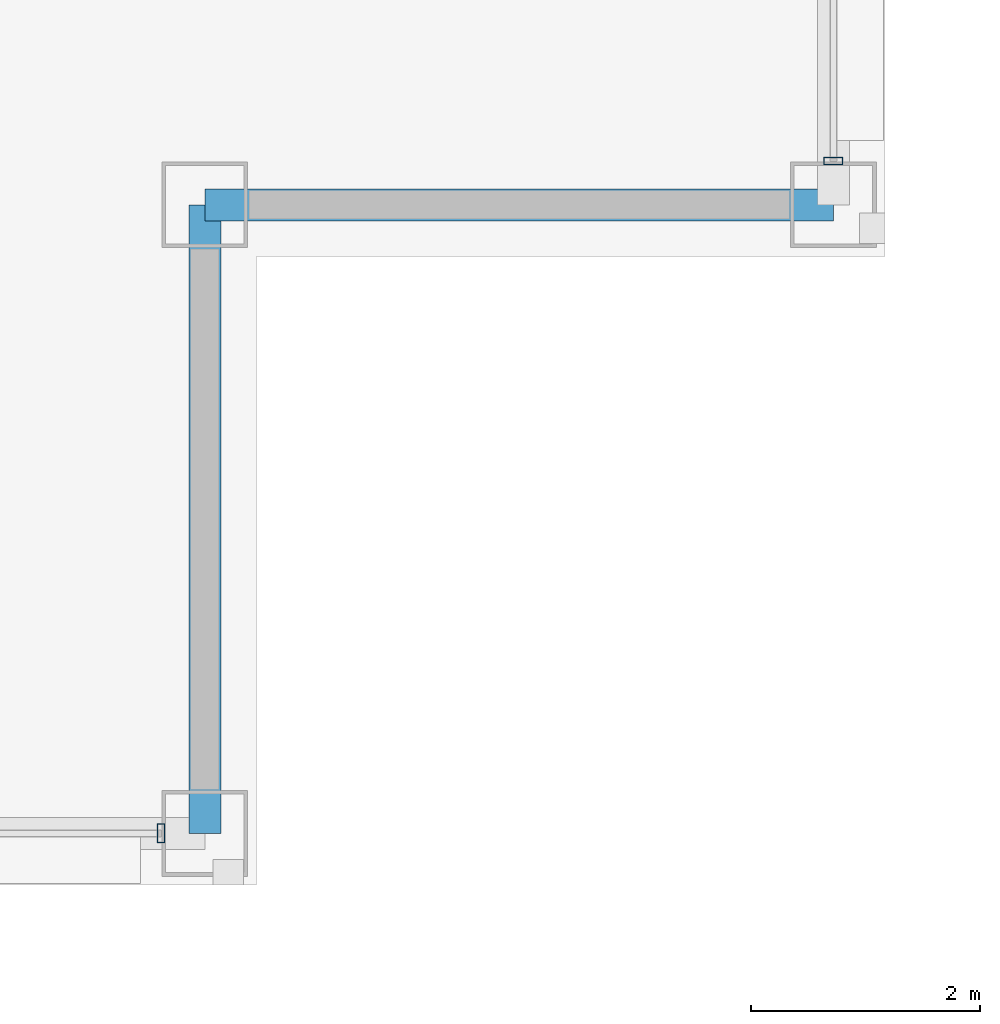
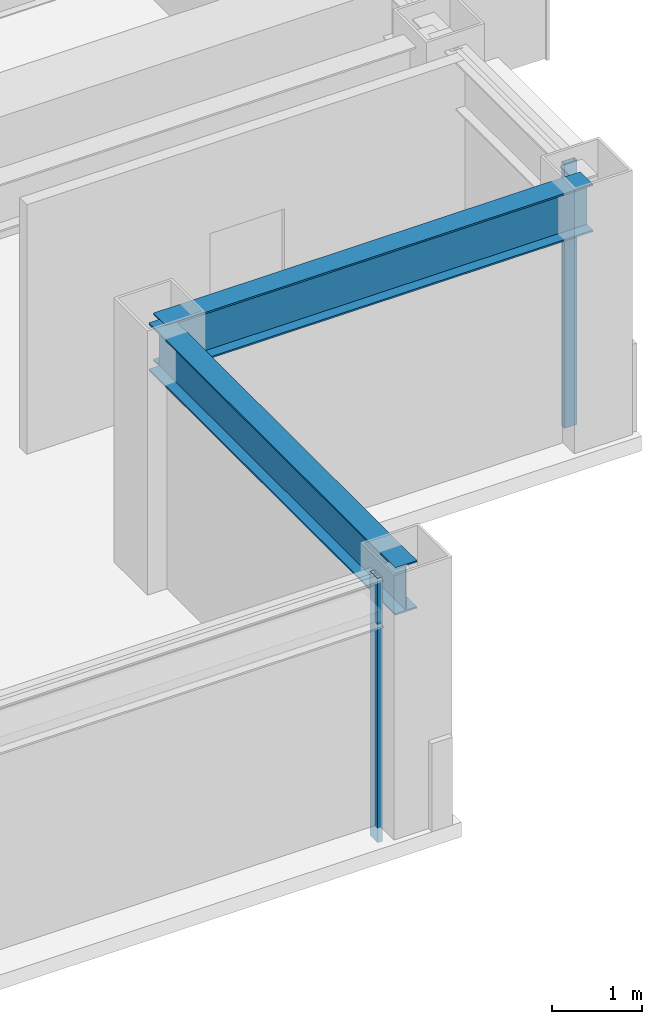
# One storey, part 11 of 26: 2 beams, 2 members, 2 elements without a shape of their own.
"""IFC4 building model written with IfcOpenShell, lengths in metres."""

import ifcopenshell
import ifcopenshell.guid

model = None  # the IFC model being written
_history = None  # IfcOwnerHistory: only IFC2X3 demands one
_inside = {}  # id of a spatial element -> (the spatial element, [elements in it])
_under = {}  # id of a project, library or spatial element -> (it, [spatial elements below it])
_declared = {}  # id of a project -> (the project, [libraries it declares])
_typed = {}  # id of a type object -> (the type object, [elements of that type])
_made_of = {}  # id of a material, layer set ... -> (it, [elements and type objects made of it])


def new_model(schema):
    """Start an empty IFC model of exactly this schema.

    Asked for "IFC4X3", IfcOpenShell would pick the latest addendum, in which some entities
    have other attributes; the version numbers below select the first issue.
    IFC2X3 requires an IfcOwnerHistory on every rooted entity: one is made here for all.
    """
    global model, _history
    if schema == "IFC4X3":
        model = ifcopenshell.file(schema_version=(4, 3, 0, 0))
    else:
        model = ifcopenshell.file(schema=schema)
    _inside.clear()
    _under.clear()
    _declared.clear()
    _typed.clear()
    _made_of.clear()
    _history = None
    if model.schema == "IFC2X3":
        org = make("IfcOrganization", Name="unknown")
        user = make(
            "IfcPersonAndOrganization",
            ThePerson=make("IfcPerson", FamilyName="unknown"),
            TheOrganization=org,
        )
        app = make(
            "IfcApplication",
            ApplicationDeveloper=org,
            Version="unknown",
            ApplicationFullName="unknown",
            ApplicationIdentifier="unknown",
        )
        _history = make(
            "IfcOwnerHistory",
            OwningUser=user,
            OwningApplication=app,
            ChangeAction="ADDED",
            CreationDate=0,
        )
    return model


def make(cls, **values):
    """One entity of the class cls with the attributes given. An attribute that is None is left unset."""
    return model.create_entity(
        cls, **{name: value for name, value in values.items() if value is not None}
    )


def rooted(cls, **values):
    """An entity with a GlobalId (a new one), such as an element, a storey or a relation."""
    return make(cls, GlobalId=ifcopenshell.guid.new(), OwnerHistory=_history, **values)


def si_unit(unit_type, name, prefix=None):
    """IfcSIUnit, for example si_unit("LENGTHUNIT", "METRE", prefix="MILLI")."""
    return make("IfcSIUnit", UnitType=unit_type, Prefix=prefix, Name=name)


def assignment(units):
    """IfcUnitAssignment: the units of a project."""
    return None if units is None else make("IfcUnitAssignment", Units=units)


def point(xyz):
    """IfcCartesianPoint."""
    return None if xyz is None else make("IfcCartesianPoint", Coordinates=xyz)


def direction(xyz):
    """IfcDirection."""
    return None if xyz is None else make("IfcDirection", DirectionRatios=xyz)


def frame(location, z_axis=None, x_axis=None):
    """IfcAxis2Placement3D, a coordinate frame: its origin and axes. An axis left out is left unset."""
    return make(
        "IfcAxis2Placement3D",
        Location=point(location),
        Axis=direction(z_axis),
        RefDirection=direction(x_axis),
    )


def frame_2d(location, x_axis=None):
    """IfcAxis2Placement2D, a coordinate frame in the plane: its origin and x axis."""
    return make(
        "IfcAxis2Placement2D", Location=point(location), RefDirection=direction(x_axis)
    )


def origin():
    """The frame at (0, 0, 0) with its axes left unset."""
    return frame((0.0, 0.0, 0.0))


def origin_2d():
    """The frame at (0, 0) in the plane with its x axis left unset."""
    return frame_2d((0.0, 0.0))


def place(relative_to, where):
    """IfcLocalPlacement: puts the frame where relative to a parent placement (None: the world)."""
    return make(
        "IfcLocalPlacement", PlacementRelTo=relative_to, RelativePlacement=where
    )


def context(
    kind, dimensions, precision=None, world=None, true_north=None, identifier=None
):
    """IfcGeometricRepresentationContext, for example the 3D "Model" context."""
    return make(
        "IfcGeometricRepresentationContext",
        ContextIdentifier=identifier,
        ContextType=kind,
        CoordinateSpaceDimension=dimensions,
        Precision=precision,
        WorldCoordinateSystem=world,
        TrueNorth=true_north,
    )


def subcontext(parent, identifier, kind, view, scale=None):
    """IfcGeometricRepresentationSubContext, for example "Body" below "Model"."""
    return make(
        "IfcGeometricRepresentationSubContext",
        ContextIdentifier=identifier,
        ContextType=kind,
        ParentContext=parent,
        TargetScale=scale,
        TargetView=view,
    )


def project(units=None, contexts=None):
    """IfcProject with its units and contexts."""
    return rooted(
        "IfcProject",
        Name="project",
        RepresentationContexts=contexts,
        UnitsInContext=assignment(units),
    )


def spatial(cls, under=None, at=None, **own):
    """A site, building, storey or space (cls), placed at a placement, below another one or the project."""
    s = rooted(cls, ObjectPlacement=at, **own)
    if under is not None:
        _under.setdefault(under.id(), (under, []))[1].append(s)
    return s


def profile(cls, at=None, kind="AREA", **sizes):
    """A parametric profile (cls). Its sizes go by their IFC names, for example OverallWidth=200.0."""
    return make(cls, ProfileType=kind, Position=at, **sizes)


def hollow_rectangle(**sizes):
    """IfcRectangleHollowProfileDef."""
    return profile("IfcRectangleHollowProfileDef", **sizes)


def i_section(**sizes):
    """IfcIShapeProfileDef."""
    return profile("IfcIShapeProfileDef", **sizes)


def extrude(swept, where, along, depth):
    """IfcExtrudedAreaSolid: the profile swept, set in the frame where, extruded along a direction by depth."""
    return make(
        "IfcExtrudedAreaSolid",
        SweptArea=swept,
        Position=where,
        ExtrudedDirection=direction(along),
        Depth=depth,
    )


def shape(context_of_items, identifier, shape_type, items):
    """IfcShapeRepresentation: the items that make up one representation, for example the "Body"."""
    return make(
        "IfcShapeRepresentation",
        ContextOfItems=context_of_items,
        RepresentationIdentifier=identifier,
        RepresentationType=shape_type,
        Items=items,
    )


def material(Name=None, Category=None):
    """IfcMaterial."""
    return make("IfcMaterial", Name=Name, Category=Category)


def layer(
    of_material, thickness, ventilated=None, Name=None, Category=None, Priority=None
):
    """IfcMaterialLayer: one layer of a wall or slab, of a material (None: an air gap)."""
    return make(
        "IfcMaterialLayer",
        Material=of_material,
        LayerThickness=thickness,
        IsVentilated=ventilated,
        Name=Name,
        Category=Category,
        Priority=Priority,
    )


def layer_set(layers, Name=None):
    """IfcMaterialLayerSet."""
    return make("IfcMaterialLayerSet", MaterialLayers=layers, LayerSetName=Name)


def material_profile(
    of_material, cross_section, Name=None, Category=None, Priority=None
):
    """IfcMaterialProfile: a cross section and its material."""
    return make(
        "IfcMaterialProfile",
        Name=Name,
        Material=of_material,
        Profile=cross_section,
        Priority=Priority,
        Category=Category,
    )


def profile_set(profiles, Name=None, composite=None):
    """IfcMaterialProfileSet."""
    return make(
        "IfcMaterialProfileSet",
        Name=Name,
        MaterialProfiles=profiles,
        CompositeProfile=composite,
    )


def made_of(thing, what):
    """Note that an element or type object is made of a material, layer set ...; save() writes the relation."""
    if what is not None:
        _made_of.setdefault(what.id(), (what, []))[1].append(thing)
    return thing


def type_object(cls, material=None, **own):
    """A type object (cls), such as IfcWallType, which elements share."""
    return made_of(rooted(cls, **own), material)


def element(
    cls,
    number,
    at=None,
    inside=None,
    cuts=None,
    type_object=None,
    material=None,
    context=None,
    identifier="Body",
    shape_type=None,
    held_by="IfcProductDefinitionShape",
    body=None,
    shapes=None,
    **own,
):
    """One element of the class cls, such as IfcWall. Its Tag is "e" and its number.

    at: its placement. inside: the storey or other place that contains it. cuts: it is an
    opening in that element (IfcRelVoidsElement). A single representation is given by context,
    identifier, shape_type and body (its items); several are given by shapes. held_by: the class
    of the entity that holds the representations. save() writes the other relations.
    """
    e = rooted(cls, Tag="e%d" % number, ObjectPlacement=at, **own)
    if body is not None:
        shapes = [shape(context, identifier, shape_type, body)]
    if shapes is not None:
        e.Representation = make(held_by, Representations=shapes)
    if inside is not None:
        _inside.setdefault(inside.id(), (inside, []))[1].append(e)
    if cuts is not None:
        rooted(
            "IfcRelVoidsElement", RelatingBuildingElement=cuts, RelatedOpeningElement=e
        )
    if type_object is not None:
        _typed.setdefault(type_object.id(), (type_object, []))[1].append(e)
    return made_of(e, material)


def aggregate(whole, parts):
    """IfcRelAggregates: a whole, such as a stair, and the parts it consists of."""
    return rooted("IfcRelAggregates", RelatingObject=whole, RelatedObjects=parts)


def save(model, path):
    """Write the relations noted so far, then the file.

    IfcRelAggregates (storeys below a building ...), IfcRelContainedInSpatialStructure (elements
    in a storey), IfcRelDefinesByType, IfcRelAssociatesMaterial and IfcRelDeclares: one each for
    every whole, place, type object, material and project.
    """
    for whole, parts in _under.values():
        aggregate(whole, parts)
    for where, things in _inside.values():
        rooted(
            "IfcRelContainedInSpatialStructure",
            RelatedElements=things,
            RelatingStructure=where,
        )
    for kind, things in _typed.values():
        rooted("IfcRelDefinesByType", RelatedObjects=things, RelatingType=kind)
    for what, things in _made_of.values():
        rooted("IfcRelAssociatesMaterial", RelatedObjects=things, RelatingMaterial=what)
    for by, libraries in _declared.values():
        rooted("IfcRelDeclares", RelatingContext=by, RelatedDefinitions=libraries)
    model.write(path)


model = new_model("IFC4")

# Units and contexts
model_context = context("Model", 3, precision=1e-05, world=origin(), true_north=direction((0.0, 1.0)))
body_context = subcontext(model_context, "Body", "Model", "MODEL_VIEW")
ifc_project = project(units=[si_unit("LENGTHUNIT", "METRE"), si_unit("AREAUNIT", "SQUARE_METRE"), si_unit("VOLUMEUNIT", "CUBIC_METRE"), si_unit("PLANEANGLEUNIT", "RADIAN"), si_unit("MASSUNIT", "GRAM", prefix="KILO")], contexts=[model_context])

# Site, building, storey
site_placement = place(None, origin())
site = spatial("IfcSite", under=ifc_project, at=site_placement, CompositionType="ELEMENT")
building_placement = place(site_placement, origin())
building = spatial("IfcBuilding", under=site, at=building_placement, Name="Brelmoor Portico Tower", CompositionType="ELEMENT")
storey_placement = place(building_placement, frame((0.0, 0.0, 180.300048828125)))
storey = spatial("IfcBuildingStorey", under=building, at=storey_placement, Name="L47", CompositionType="ELEMENT", Elevation=180.300048828125)

# Beams
ifc_material_1 = material(Name="Steel Q355B", Category="steel")
ifc_material_profile_1 = material_profile(ifc_material_1, i_section(OverallWidth=0.280029296875, OverallDepth=0.64990234375, WebThickness=0.012939453125, FlangeThickness=0.02197265625, at=origin_2d()), Name="HN 650x280x13x22")
ifc_profile_set_1 = profile_set([ifc_material_profile_1], Name="Steel Q355B")
beam_type = type_object("IfcBeamType", Name="BM-SP-650", PredefinedType="SPANDREL", material=ifc_profile_set_1)
for number, where, z_axis, x_axis, name in (
    (1, (15.050048828125, -13.050048828125, 3.074951171875), (1.0, 0.0, 0.0), (0.0, 1.0, 0.0), "L47 Perimeter Spandrel Beam SP-05"),
    (2, (15.050048828125, -18.550048828125, 3.074951171875), (0.0, 1.0, 0.0), (-1.0, 0.0, 0.0), "L47 Perimeter Spandrel Beam SP-16"),
):
    element("IfcBeam", number, at=place(storey_placement, frame(where, z_axis=z_axis, x_axis=x_axis)), inside=storey, type_object=beam_type, Name=name, PredefinedType="SPANDREL", context=body_context, shape_type="SweptSolid", body=[
        extrude(i_section(OverallWidth=0.280029296875, OverallDepth=0.64990234375, WebThickness=0.012939453125, FlangeThickness=0.02197265625, at=origin_2d()), origin(), (0.0, 0.0, 1.0), 5.5),
    ])

# Curtain wall, member
ifc_material_2 = material(Name="Anodised Aluminium Alloy 6063-T6", Category="aluminium")
ifc_layer = layer(ifc_material_2, 0.179931640625)
ifc_layer_set = layer_set([ifc_layer], Name="Anodised Aluminium Alloy 6063-T6")
curtain_wall_type = type_object("IfcCurtainWallType", Name="CW-TOWER-Z3-XB", PredefinedType="NOTDEFINED", material=ifc_layer_set)
curtain_wall_1_placement = place(storey_placement, origin())
curtain_wall_1 = element("IfcCurtainWall", 3, at=curtain_wall_1_placement, inside=storey, type_object=curtain_wall_type, Name="L47 Curtain Wall CW-L47-01-3", PredefinedType="NOTDEFINED")
ifc_material_profile_2 = material_profile(ifc_material_2, hollow_rectangle(XDim=0.06494140625, YDim=0.1650390625, WallThickness=0.00390625, at=origin_2d()), Name="ALU MULLION 65x165")
ifc_profile_set_2 = profile_set([ifc_material_profile_2], Name="Anodised Aluminium Alloy 6063-T6")
member_type = type_object("IfcMemberType", Name="MB-CW-MULL-165", PredefinedType="MULLION", material=ifc_profile_set_2)
member_1_placement = place(storey_placement, frame((14.6650390625, -18.550048828125, -0.199951171875), z_axis=(0.0, 0.0, 1.0), x_axis=(1.0, 0.0, 0.0)))
member_1 = element("IfcMember", 4, at=member_1_placement, type_object=member_type, Name="CW-L47-01-3 Mullion 01", PredefinedType="MULLION", context=body_context, shape_type="SweptSolid", body=[
    extrude(hollow_rectangle(XDim=0.06494140625, YDim=0.1650390625, WallThickness=0.00390625, at=origin_2d()), origin(), (0.0, 0.0, 1.0), 3.599853515625),
])
aggregate(curtain_wall_1, [member_1])

curtain_wall_2_placement = place(storey_placement, origin())
curtain_wall_2 = element("IfcCurtainWall", 5, at=curtain_wall_2_placement, inside=storey, type_object=curtain_wall_type, Name="L47 Curtain Wall CW-L47-04-1", PredefinedType="NOTDEFINED")
member_2_placement = place(storey_placement, frame((20.550048828125, -12.6650390625, -0.199951171875), z_axis=(0.0, 0.0, 1.0), x_axis=(0.0, 1.0, 0.0)))
member_2 = element("IfcMember", 6, at=member_2_placement, type_object=member_type, Name="CW-L47-04-1 Mullion 00", PredefinedType="MULLION", context=body_context, shape_type="SweptSolid", body=[
    extrude(hollow_rectangle(XDim=0.06494140625, YDim=0.1650390625, WallThickness=0.00390625, at=origin_2d()), origin(), (0.0, 0.0, 1.0), 3.599853515625),
])
aggregate(curtain_wall_2, [member_2])

save(model, "model.ifc")
